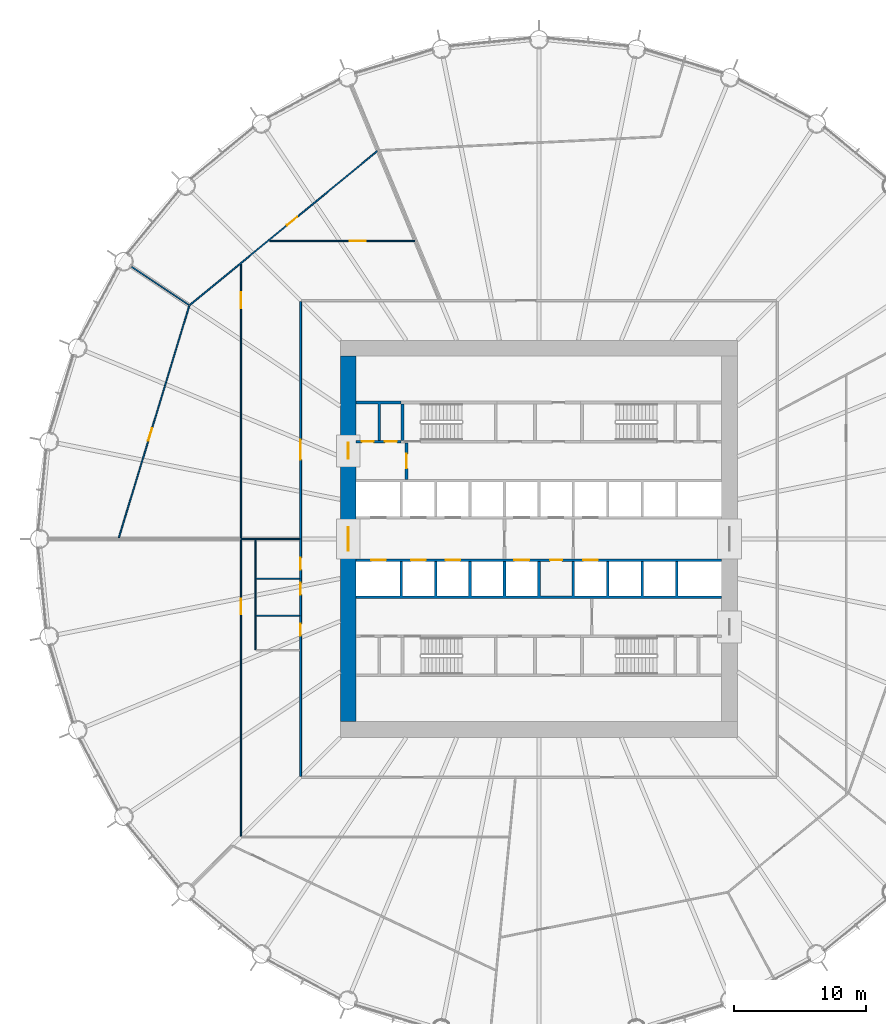
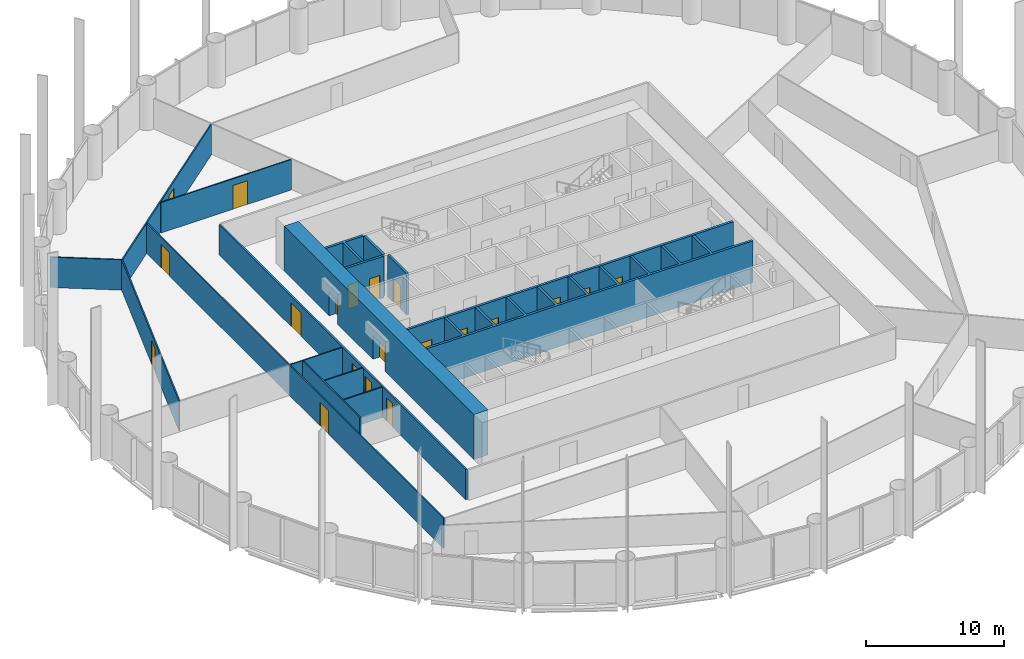
# One storey, part 10 of 14: 20 doors, 17 walls, 20 openings.
"""IFC4 building model written with IfcOpenShell, lengths in metres."""

from ifc_helpers import new_model, si_unit, direction, frame, frame_2d, origin, place, context, subcontext, project, spatial, polyline, rectangle, outline, extrude, material, layer, layer_set, type_object, element, fill, save


model = new_model("IFC4")

# Units and contexts
model_context = context("Model", 3, precision=1e-05, world=origin(), true_north=direction((0.0, 1.0)))
body_context = subcontext(model_context, "Body", "Model", "MODEL_VIEW")
ifc_project = project(units=[si_unit("LENGTHUNIT", "METRE"), si_unit("AREAUNIT", "SQUARE_METRE"), si_unit("VOLUMEUNIT", "CUBIC_METRE"), si_unit("PLANEANGLEUNIT", "RADIAN"), si_unit("MASSUNIT", "GRAM", prefix="KILO")], contexts=[model_context])

# Site, building, storey
site_placement = place(None, origin())
site = spatial("IfcSite", under=ifc_project, at=site_placement, CompositionType="ELEMENT")
building_placement = place(site_placement, origin())
building = spatial("IfcBuilding", under=site, at=building_placement, Name="Corvane Civic Tower", CompositionType="ELEMENT")
storey_placement = place(building_placement, frame((0.0, 0.0, 77.0)))
storey = spatial("IfcBuildingStorey", under=building, at=storey_placement, Name="L17", CompositionType="ELEMENT", Elevation=77.0)

# Wall, openings, doors
ifc_material_1 = material(Name="Concrete C80/95", Category="concrete")
ifc_layer_1 = layer(ifc_material_1, 1.199951171875)
ifc_layer_set_1 = layer_set([ifc_layer_1], Name="Concrete C80/95")
wall_type_1 = type_object("IfcWallType", Name="CORE WALL 1200 C80/95", PredefinedType="SHEAR", material=ifc_layer_set_1)
wall_1_placement = place(storey_placement, frame((-14.39990234375, -13.800048828125, 0.0), z_axis=(0.0, 0.0, 1.0), x_axis=(0.0, 1.0, 0.0)))
wall_1 = element("IfcWall", 1, at=wall_1_placement, inside=storey, type_object=wall_type_1, Name="W-L17-core-W", PredefinedType="SHEAR", context=body_context, shape_type="SweptSolid", body=[
    extrude(rectangle(XDim=27.60009765625, YDim=1.199951171875, at=frame_2d((13.800048828125, 0.0))), origin(), (0.0, 0.0, 1.0), 4.0),
])
opening_1_placement = place(wall_1_placement, frame((12.89990234375, 0.0, 0.0)))
opening_1 = element("IfcOpeningElement", 2, at=opening_1_placement, cuts=wall_1, Name="Opening L17.C24", PredefinedType="OPENING", context=body_context, shape_type="SweptSolid", body=[
    extrude(rectangle(XDim=1.800048828125, YDim=2.10009765625, at=frame_2d((0.89990234375, 1.050048828125))), frame((0.0, 0.60986328125, 0.0), z_axis=(0.0, -1.0, 0.0), x_axis=(1.0, 0.0, 0.0)), (0.0, 0.0, 1.0), 1.219970703125),
])
opening_2_placement = place(wall_1_placement, frame((19.85009765625, 0.0, 0.0)))
opening_2 = element("IfcOpeningElement", 3, at=opening_2_placement, cuts=wall_1, Name="Opening L17.C26", PredefinedType="OPENING", context=body_context, shape_type="SweptSolid", body=[
    extrude(rectangle(XDim=1.199951171875, YDim=2.10009765625, at=frame_2d((0.60009765625, 1.050048828125))), frame((0.0, 0.60986328125, 0.0), z_axis=(0.0, -1.0, 0.0), x_axis=(1.0, 0.0, 0.0)), (0.0, 0.0, 1.0), 1.219970703125),
])
ifc_material_2 = material(Name="Steel fire door leaf", Category="steel")
door_type_1 = type_object("IfcDoorType", Name="CR-DOOR-CORE-1800", OperationType="DOUBLE_DOOR_SINGLE_SWING", PredefinedType="DOOR", material=ifc_material_2)
door_1_placement = place(opening_1_placement, origin())
door_1 = element("IfcDoor", 4, at=door_1_placement, inside=storey, type_object=door_type_1, Name="L17 door", OperationType="DOUBLE_DOOR_SINGLE_SWING", OverallHeight=2.10009765625, OverallWidth=1.800048828125, PredefinedType="DOOR", context=body_context, shape_type="SweptSolid", body=[
    extrude(rectangle(XDim=1.800048828125, YDim=2.10009765625, at=frame_2d((0.89990234375, 1.050048828125))), frame((0.0, 0.02490234375, 0.0), z_axis=(0.0, -1.0, 0.0), x_axis=(1.0, 0.0, 0.0)), (0.0, 0.0, 1.0), 0.050048828125),
])
fill(opening_1, door_1)
door_2_placement = place(opening_2_placement, origin())
door_2 = element("IfcDoor", 5, at=door_2_placement, inside=storey, type_object=door_type_1, Name="L17 door", OperationType="DOUBLE_DOOR_SINGLE_SWING", OverallHeight=2.10009765625, OverallWidth=1.199951171875, PredefinedType="DOOR", context=body_context, shape_type="SweptSolid", body=[
    extrude(rectangle(XDim=1.199951171875, YDim=2.10009765625, at=frame_2d((0.60009765625, 1.050048828125))), frame((0.0, 0.02490234375, 0.0), z_axis=(0.0, -1.0, 0.0), x_axis=(1.0, 0.0, 0.0)), (0.0, 0.0, 1.0), 0.050048828125),
])
fill(opening_2, door_2)

ifc_material_3 = material(Name="Concrete C30/37", Category="concrete")
ifc_layer_2 = layer(ifc_material_3, 0.199951171875)
ifc_layer_set_2 = layer_set([ifc_layer_2], Name="Concrete C30/37")
wall_type_2 = type_object("IfcWallType", Name="CR-WALL-200", PredefinedType="PARTITIONING", material=ifc_layer_set_2)
wall_2_placement = place(storey_placement, frame((-13.800048828125, -1.60009765625, 0.0), z_axis=(0.0, 0.0, 1.0), x_axis=(1.0, 0.0, 0.0)))
wall_2 = element("IfcWall", 6, at=wall_2_placement, inside=storey, type_object=wall_type_2, Name="L17 lift shaft wall", PredefinedType="PARTITIONING", context=body_context, shape_type="SweptSolid", body=[
    extrude(rectangle(XDim=27.60009765625, YDim=0.199951171875, at=frame_2d((13.800048828125, 0.0))), origin(), (0.0, 0.0, 1.0), 3.699951171875),
])
opening_3_placement = place(wall_2_placement, frame((1.14990234375, 0.0, 0.0)))
opening_3 = element("IfcOpeningElement", 7, at=opening_3_placement, cuts=wall_2, Name="Opening LD", PredefinedType="OPENING", context=body_context, shape_type="SweptSolid", body=[
    extrude(rectangle(XDim=1.10009765625, YDim=2.10009765625, at=frame_2d((0.550048828125, 1.050048828125))), frame((0.0, 0.10986328125, 0.0), z_axis=(0.0, -1.0, 0.0), x_axis=(1.0, 0.0, 0.0)), (0.0, 0.0, 1.0), 0.219970703125),
])
opening_4_placement = place(wall_2_placement, frame((4.14990234375, 0.0, 0.0)))
opening_4 = element("IfcOpeningElement", 8, at=opening_4_placement, cuts=wall_2, Name="Opening LD", PredefinedType="OPENING", context=body_context, shape_type="SweptSolid", body=[
    extrude(rectangle(XDim=1.10009765625, YDim=2.10009765625, at=frame_2d((0.550048828125, 1.050048828125))), frame((0.0, 0.10986328125, 0.0), z_axis=(0.0, -1.0, 0.0), x_axis=(1.0, 0.0, 0.0)), (0.0, 0.0, 1.0), 0.219970703125),
])
opening_5_placement = place(wall_2_placement, frame((6.75, 0.0, 0.0)))
opening_5 = element("IfcOpeningElement", 9, at=opening_5_placement, cuts=wall_2, Name="Opening LD", PredefinedType="OPENING", context=body_context, shape_type="SweptSolid", body=[
    extrude(rectangle(XDim=1.10009765625, YDim=2.10009765625, at=frame_2d((0.550048828125, 1.050048828125))), frame((0.0, 0.10986328125, 0.0), z_axis=(0.0, -1.0, 0.0), x_axis=(1.0, 0.0, 0.0)), (0.0, 0.0, 1.0), 0.219970703125),
])
opening_6_placement = place(wall_2_placement, frame((11.949951171875, 0.0, 0.0)))
opening_6 = element("IfcOpeningElement", 10, at=opening_6_placement, cuts=wall_2, Name="Opening LD", PredefinedType="OPENING", context=body_context, shape_type="SweptSolid", body=[
    extrude(rectangle(XDim=1.10009765625, YDim=2.10009765625, at=frame_2d((0.550048828125, 1.050048828125))), frame((0.0, 0.10986328125, 0.0), z_axis=(0.0, -1.0, 0.0), x_axis=(1.0, 0.0, 0.0)), (0.0, 0.0, 1.0), 0.219970703125),
])
opening_7_placement = place(wall_2_placement, frame((14.64990234375, 0.0, 0.0)))
opening_7 = element("IfcOpeningElement", 11, at=opening_7_placement, cuts=wall_2, Name="Opening L17.C01", PredefinedType="OPENING", context=body_context, shape_type="SweptSolid", body=[
    extrude(rectangle(XDim=0.89990234375, YDim=2.10009765625, at=frame_2d((0.449951171875, 1.050048828125))), frame((0.0, 0.10986328125, 0.0), z_axis=(0.0, -1.0, 0.0), x_axis=(1.0, 0.0, 0.0)), (0.0, 0.0, 1.0), 0.219970703125),
])
opening_8_placement = place(wall_2_placement, frame((17.14990234375, 0.0, 0.0)))
opening_8 = element("IfcOpeningElement", 12, at=opening_8_placement, cuts=wall_2, Name="Opening LD", PredefinedType="OPENING", context=body_context, shape_type="SweptSolid", body=[
    extrude(rectangle(XDim=1.10009765625, YDim=2.10009765625, at=frame_2d((0.550048828125, 1.050048828125))), frame((0.0, 0.10986328125, 0.0), z_axis=(0.0, -1.0, 0.0), x_axis=(1.0, 0.0, 0.0)), (0.0, 0.0, 1.0), 0.219970703125),
])
ifc_material_4 = material(Name="Steel fire door leaf", Category="steel")
door_type_2 = type_object("IfcDoorType", Name="CR-DOOR-900", OperationType="SINGLE_SWING_LEFT", PredefinedType="DOOR", material=ifc_material_4)
door_3_placement = place(opening_7_placement, origin())
door_3 = element("IfcDoor", 13, at=door_3_placement, inside=storey, type_object=door_type_2, Name="L17 door", OperationType="SINGLE_SWING_LEFT", OverallHeight=2.10009765625, OverallWidth=0.89990234375, PredefinedType="DOOR", context=body_context, shape_type="SweptSolid", body=[
    extrude(rectangle(XDim=0.89990234375, YDim=2.10009765625, at=frame_2d((0.449951171875, 1.050048828125))), frame((0.0, 0.02490234375, 0.0), z_axis=(0.0, -1.0, 0.0), x_axis=(1.0, 0.0, 0.0)), (0.0, 0.0, 1.0), 0.050048828125),
])
fill(opening_7, door_3)
ifc_material_5 = material(Name="Stainless steel 316 door leaves", Category="steel")
door_type_3 = type_object("IfcDoorType", Name="LD", OperationType="DOUBLE_DOOR_SLIDING", PredefinedType="DOOR", material=ifc_material_5)
door_4_placement = place(opening_3_placement, origin())
door_4 = element("IfcDoor", 14, at=door_4_placement, inside=storey, type_object=door_type_3, Name="L17 landing door", OperationType="DOUBLE_DOOR_SLIDING", OverallHeight=2.10009765625, OverallWidth=1.10009765625, PredefinedType="DOOR", context=body_context, shape_type="SweptSolid", body=[
    extrude(rectangle(XDim=1.10009765625, YDim=2.10009765625, at=frame_2d((0.550048828125, 1.050048828125))), frame((0.0, 0.02490234375, 0.0), z_axis=(0.0, -1.0, 0.0), x_axis=(1.0, 0.0, 0.0)), (0.0, 0.0, 1.0), 0.050048828125),
])
fill(opening_3, door_4)
door_5_placement = place(opening_4_placement, origin())
door_5 = element("IfcDoor", 15, at=door_5_placement, inside=storey, type_object=door_type_3, Name="L17 landing door", OperationType="DOUBLE_DOOR_SLIDING", OverallHeight=2.10009765625, OverallWidth=1.10009765625, PredefinedType="DOOR", context=body_context, shape_type="SweptSolid", body=[
    extrude(rectangle(XDim=1.10009765625, YDim=2.10009765625, at=frame_2d((0.550048828125, 1.050048828125))), frame((0.0, 0.02490234375, 0.0), z_axis=(0.0, -1.0, 0.0), x_axis=(1.0, 0.0, 0.0)), (0.0, 0.0, 1.0), 0.050048828125),
])
fill(opening_4, door_5)
door_6_placement = place(opening_5_placement, origin())
door_6 = element("IfcDoor", 16, at=door_6_placement, inside=storey, type_object=door_type_3, Name="L17 landing door", OperationType="DOUBLE_DOOR_SLIDING", OverallHeight=2.10009765625, OverallWidth=1.10009765625, PredefinedType="DOOR", context=body_context, shape_type="SweptSolid", body=[
    extrude(rectangle(XDim=1.10009765625, YDim=2.10009765625, at=frame_2d((0.550048828125, 1.050048828125))), frame((0.0, 0.02490234375, 0.0), z_axis=(0.0, -1.0, 0.0), x_axis=(1.0, 0.0, 0.0)), (0.0, 0.0, 1.0), 0.050048828125),
])
fill(opening_5, door_6)
door_7_placement = place(opening_6_placement, origin())
door_7 = element("IfcDoor", 17, at=door_7_placement, inside=storey, type_object=door_type_3, Name="L17 landing door", OperationType="DOUBLE_DOOR_SLIDING", OverallHeight=2.10009765625, OverallWidth=1.10009765625, PredefinedType="DOOR", context=body_context, shape_type="SweptSolid", body=[
    extrude(rectangle(XDim=1.10009765625, YDim=2.10009765625, at=frame_2d((0.550048828125, 1.050048828125))), frame((0.0, 0.02490234375, 0.0), z_axis=(0.0, -1.0, 0.0), x_axis=(1.0, 0.0, 0.0)), (0.0, 0.0, 1.0), 0.050048828125),
])
fill(opening_6, door_7)
door_8_placement = place(opening_8_placement, origin())
door_8 = element("IfcDoor", 18, at=door_8_placement, inside=storey, type_object=door_type_3, Name="L17 landing door", OperationType="DOUBLE_DOOR_SLIDING", OverallHeight=2.10009765625, OverallWidth=1.10009765625, PredefinedType="DOOR", context=body_context, shape_type="SweptSolid", body=[
    extrude(rectangle(XDim=1.10009765625, YDim=2.10009765625, at=frame_2d((0.550048828125, 1.050048828125))), frame((0.0, 0.02490234375, 0.0), z_axis=(0.0, -1.0, 0.0), x_axis=(1.0, 0.0, 0.0)), (0.0, 0.0, 1.0), 0.050048828125),
])
fill(opening_8, door_8)

wall_3_placement = place(storey_placement, frame((-13.800048828125, 7.35009765625, 0.0), z_axis=(0.0, 0.0, 1.0), x_axis=(1.0, 0.0, 0.0)))
wall_3 = element("IfcWall", 19, at=wall_3_placement, inside=storey, type_object=wall_type_2, Name="L17 core partition wall", PredefinedType="PARTITIONING", context=body_context, shape_type="SweptSolid", body=[
    extrude(rectangle(XDim=3.400146484375, YDim=0.199951171875, at=frame_2d((1.7001953125, 0.0))), origin(), (0.0, 0.0, 1.0), 3.699951171875),
])
opening_9_placement = place(wall_3_placement, frame((0.425048828125, 0.0, 0.0)))
opening_9 = element("IfcOpeningElement", 20, at=opening_9_placement, cuts=wall_3, Name="Opening L17.C08", PredefinedType="OPENING", context=body_context, shape_type="SweptSolid", body=[
    extrude(rectangle(XDim=0.89990234375, YDim=2.10009765625, at=frame_2d((0.449951171875, 1.050048828125))), frame((0.0, 0.10986328125, 0.0), z_axis=(0.0, -1.0, 0.0), x_axis=(1.0, 0.0, 0.0)), (0.0, 0.0, 1.0), 0.219970703125),
])
opening_10_placement = place(wall_3_placement, frame((2.175048828125, 0.0, 0.0)))
opening_10 = element("IfcOpeningElement", 21, at=opening_10_placement, cuts=wall_3, Name="Opening L17.C09", PredefinedType="OPENING", context=body_context, shape_type="SweptSolid", body=[
    extrude(rectangle(XDim=0.89990234375, YDim=2.10009765625, at=frame_2d((0.449951171875, 1.050048828125))), frame((0.0, 0.10986328125, 0.0), z_axis=(0.0, -1.0, 0.0), x_axis=(1.0, 0.0, 0.0)), (0.0, 0.0, 1.0), 0.219970703125),
])
door_9_placement = place(opening_9_placement, origin())
door_9 = element("IfcDoor", 22, at=door_9_placement, inside=storey, type_object=door_type_2, Name="L17 door", OperationType="SINGLE_SWING_LEFT", OverallHeight=2.10009765625, OverallWidth=0.89990234375, PredefinedType="DOOR", context=body_context, shape_type="SweptSolid", body=[
    extrude(rectangle(XDim=0.89990234375, YDim=2.10009765625, at=frame_2d((0.449951171875, 1.050048828125))), frame((0.0, 0.02490234375, 0.0), z_axis=(0.0, -1.0, 0.0), x_axis=(1.0, 0.0, 0.0)), (0.0, 0.0, 1.0), 0.050048828125),
])
fill(opening_9, door_9)
door_10_placement = place(opening_10_placement, origin())
door_10 = element("IfcDoor", 23, at=door_10_placement, inside=storey, type_object=door_type_2, Name="L17 door", OperationType="SINGLE_SWING_LEFT", OverallHeight=2.10009765625, OverallWidth=0.89990234375, PredefinedType="DOOR", context=body_context, shape_type="SweptSolid", body=[
    extrude(rectangle(XDim=0.89990234375, YDim=2.10009765625, at=frame_2d((0.449951171875, 1.050048828125))), frame((0.0, 0.02490234375, 0.0), z_axis=(0.0, -1.0, 0.0), x_axis=(1.0, 0.0, 0.0)), (0.0, 0.0, 1.0), 0.050048828125),
])
fill(opening_10, door_10)

# Wall, opening, door
wall_4_placement = place(storey_placement, frame((-10.0, 4.5, 0.0), z_axis=(0.0, 0.0, 1.0), x_axis=(0.0, 1.0, 0.0)))
wall_4 = element("IfcWall", 24, at=wall_4_placement, inside=storey, type_object=wall_type_2, Name="L17 core partition wall", PredefinedType="PARTITIONING", context=body_context, shape_type="SweptSolid", body=[
    extrude(rectangle(XDim=2.75, YDim=0.199951171875, at=frame_2d((1.375, 0.0))), origin(), (0.0, 0.0, 1.0), 3.699951171875),
])
opening_11_placement = place(wall_4_placement, frame((0.824951171875, 0.0, 0.0)))
opening_11 = element("IfcOpeningElement", 25, at=opening_11_placement, cuts=wall_4, Name="Opening L17.C22", PredefinedType="OPENING", context=body_context, shape_type="SweptSolid", body=[
    extrude(rectangle(XDim=1.10009765625, YDim=2.10009765625, at=frame_2d((0.550048828125, 1.050048828125))), frame((0.0, 0.10986328125, 0.0), z_axis=(0.0, -1.0, 0.0), x_axis=(1.0, 0.0, 0.0)), (0.0, 0.0, 1.0), 0.219970703125),
])
ifc_material_6 = material(Name="Steel fire door leaf", Category="steel")
door_type_4 = type_object("IfcDoorType", Name="CR-DOOR-FFL-1100", OperationType="SINGLE_SWING_LEFT", PredefinedType="DOOR", material=ifc_material_6)
door_11_placement = place(opening_11_placement, origin())
door_11 = element("IfcDoor", 26, at=door_11_placement, inside=storey, type_object=door_type_4, Name="L17 lobby door", OperationType="SINGLE_SWING_LEFT", OverallHeight=2.10009765625, OverallWidth=1.10009765625, PredefinedType="DOOR", context=body_context, shape_type="SweptSolid", body=[
    extrude(rectangle(XDim=1.10009765625, YDim=2.10009765625, at=frame_2d((0.550048828125, 1.050048828125))), frame((0.0, 0.02490234375, 0.0), z_axis=(0.0, -1.0, 0.0), x_axis=(1.0, 0.0, 0.0)), (0.0, 0.0, 1.0), 0.050048828125),
])
fill(opening_11, door_11)

# Walls
wall_5_placement = place(storey_placement, origin())
element("IfcWall", 27, at=wall_5_placement, inside=storey, type_object=wall_type_2, Name="L17 core partition wall", PredefinedType="PARTITIONING", context=body_context, shape_type="SweptSolid", body=[
    extrude(outline(polyline([(-13.800048828125, 10.39990234375), (-10.39990234375, 10.39990234375), (-10.39990234375, 10.199951171875), (-11.949951171875, 10.199951171875), (-11.949951171875, 7.449951171875), (-12.14990234375, 7.449951171875), (-12.14990234375, 10.199951171875), (-13.800048828125, 10.199951171875), (-13.800048828125, 10.39990234375)])), origin(), (0.0, 0.0, 1.0), 3.699951171875),
])
wall_6_placement = place(storey_placement, origin())
element("IfcWall", 28, at=wall_6_placement, inside=storey, type_object=wall_type_2, Name="L17 core partition wall", PredefinedType="PARTITIONING", context=body_context, shape_type="SweptSolid", body=[
    extrude(outline(polyline([(-10.300048828125, -1.699951171875), (-10.300048828125, -4.300048828125), (-7.89990234375, -4.300048828125), (-7.89990234375, -1.699951171875), (-7.699951171875, -1.699951171875), (-7.699951171875, -4.300048828125), (-5.300048828125, -4.300048828125), (-5.300048828125, -1.699951171875), (-5.10009765625, -1.699951171875), (-5.10009765625, -4.300048828125), (-2.699951171875, -4.300048828125), (-2.699951171875, -1.699951171875), (-2.5, -1.699951171875), (-2.5, -4.300048828125), (-0.10009765625, -4.300048828125), (-0.10009765625, -1.699951171875), (0.10009765625, -1.699951171875), (0.10009765625, -4.300048828125), (2.5, -4.300048828125), (2.5, -1.699951171875), (2.699951171875, -1.699951171875), (2.699951171875, -4.300048828125), (5.10009765625, -4.300048828125), (5.10009765625, -1.699951171875), (5.300048828125, -1.699951171875), (5.300048828125, -4.300048828125), (7.699951171875, -4.300048828125), (7.699951171875, -1.699951171875), (7.89990234375, -1.699951171875), (7.89990234375, -4.300048828125), (10.300048828125, -4.300048828125), (10.300048828125, -1.699951171875), (10.5, -1.699951171875), (10.5, -4.300048828125), (13.800048828125, -4.300048828125), (13.800048828125, -4.5), (-13.800048828125, -4.5), (-13.800048828125, -4.300048828125), (-10.5, -4.300048828125), (-10.5, -1.699951171875), (-10.300048828125, -1.699951171875)])), origin(), (0.0, 0.0, 1.0), 3.699951171875),
])

# Wall, openings, doors
ifc_material_7 = material(Name="Plasterboard")
ifc_layer_3 = layer(ifc_material_7, 0.10009765625)
ifc_layer_set_3 = layer_set([ifc_layer_3], Name="Plasterboard")
wall_type_3 = type_object("IfcWallType", Name="Partition 100 plasterboard on studs", PredefinedType="PARTITIONING", material=ifc_layer_set_3)
wall_7_placement = place(storey_placement, frame((-22.5, -22.449951171875, 0.0), z_axis=(0.0, 0.0, 1.0), x_axis=(0.0, 1.0, 0.0)))
wall_7 = element("IfcWall", 29, at=wall_7_placement, inside=storey, type_object=wall_type_3, Name="Partition L17.009", PredefinedType="PARTITIONING", context=body_context, shape_type="SweptSolid", body=[
    extrude(rectangle(XDim=43.174560546875, YDim=0.10009765625, at=frame_2d((21.58740234375, 0.0))), origin(), (0.0, 0.0, 1.0), 2.699951171875),
])
opening_12_placement = place(wall_7_placement, frame((16.747802734375, 0.0, 0.0)))
opening_12 = element("IfcOpeningElement", 30, at=opening_12_placement, cuts=wall_7, Name="Opening L17.011", PredefinedType="OPENING", context=body_context, shape_type="SweptSolid", body=[
    extrude(rectangle(XDim=1.199951171875, YDim=2.10009765625, at=frame_2d((0.60009765625, 1.050048828125))), frame((0.0, 0.06005859375, 0.0), z_axis=(0.0, -1.0, 0.0), x_axis=(1.0, 0.0, 0.0)), (0.0, 0.0, 1.0), 0.1201171875),
])
opening_13_placement = place(wall_7_placement, frame((39.877197265625, 0.0, 0.0)))
opening_13 = element("IfcOpeningElement", 31, at=opening_13_placement, cuts=wall_7, Name="Opening L17.018", PredefinedType="OPENING", context=body_context, shape_type="SweptSolid", body=[
    extrude(rectangle(XDim=1.199951171875, YDim=2.10009765625, at=frame_2d((0.60009765625, 1.050048828125))), frame((0.0, 0.06005859375, 0.0), z_axis=(0.0, -1.0, 0.0), x_axis=(1.0, 0.0, 0.0)), (0.0, 0.0, 1.0), 0.1201171875),
])
ifc_material_8 = material(Name="Timber", Category="wood")
door_type_5 = type_object("IfcDoorType", Name="Double door 1200", OperationType="NOTDEFINED", PredefinedType="DOOR", material=ifc_material_8)
door_12_placement = place(opening_12_placement, origin())
door_12 = element("IfcDoor", 32, at=door_12_placement, inside=storey, type_object=door_type_5, Name="Door L17.011", OperationType="DOUBLE_DOOR_SINGLE_SWING", OverallHeight=2.10009765625, OverallWidth=1.199951171875, PredefinedType="DOOR", context=body_context, shape_type="SweptSolid", body=[
    extrude(rectangle(XDim=1.199951171875, YDim=2.10009765625, at=frame_2d((0.60009765625, 1.050048828125))), frame((0.0, 0.02490234375, 0.0), z_axis=(0.0, -1.0, 0.0), x_axis=(1.0, 0.0, 0.0)), (0.0, 0.0, 1.0), 0.050048828125),
])
fill(opening_12, door_12)
door_13_placement = place(opening_13_placement, origin())
door_13 = element("IfcDoor", 33, at=door_13_placement, inside=storey, type_object=door_type_5, Name="Door L17.018", OperationType="DOUBLE_DOOR_SINGLE_SWING", OverallHeight=2.10009765625, OverallWidth=1.199951171875, PredefinedType="DOOR", context=body_context, shape_type="SweptSolid", body=[
    extrude(rectangle(XDim=1.199951171875, YDim=2.10009765625, at=frame_2d((0.60009765625, 1.050048828125))), frame((0.0, 0.02490234375, 0.0), z_axis=(0.0, -1.0, 0.0), x_axis=(1.0, 0.0, 0.0)), (0.0, 0.0, 1.0), 0.050048828125),
])
fill(opening_13, door_13)

# Walls
wall_8_placement = place(storey_placement, frame((-21.39990234375, -8.35009765625, 0.0), z_axis=(0.0, 0.0, 1.0), x_axis=(0.0, 1.0, 0.0)))
element("IfcWall", 34, at=wall_8_placement, inside=storey, type_object=wall_type_3, Name="Partition L17.017", PredefinedType="PARTITIONING", context=body_context, shape_type="SweptSolid", body=[
    extrude(rectangle(XDim=8.300048828125, YDim=0.10009765625, at=frame_2d((4.14990234375, 0.0))), origin(), (0.0, 0.0, 1.0), 2.699951171875),
])
for number, where, z_axis, x_axis, name in (
    (35, (-21.35009765625, -5.800048828125, 0.0), (0.0, 0.0, 1.0), (1.0, 0.0, 0.0), "Partition L17.018"),
    (36, (-21.35009765625, -3.0, 0.0), (0.0, 0.0, 1.0), (1.0, 0.0, 0.0), "Partition L17.019"),
):
    element("IfcWall", number, at=place(storey_placement, frame(where, z_axis=z_axis, x_axis=x_axis)), inside=storey, type_object=wall_type_3, Name=name, PredefinedType="PARTITIONING", context=body_context, shape_type="SweptSolid", body=[
        extrude(rectangle(XDim=3.275146484375, YDim=0.10009765625, at=frame_2d((1.6376953125, 0.0))), origin(), (0.0, 0.0, 1.0), 2.699951171875),
    ])
wall_9_placement = place(storey_placement, frame((-22.449951171875, 0.0, 0.0), z_axis=(0.0, 0.0, 1.0), x_axis=(1.0, 0.0, 0.0)))
element("IfcWall", 37, at=wall_9_placement, inside=storey, type_object=wall_type_3, Name="Partition L17.021", PredefinedType="PARTITIONING", context=body_context, shape_type="SweptSolid", body=[
    extrude(rectangle(XDim=4.375, YDim=0.10009765625, at=frame_2d((2.1875, 0.0))), origin(), (0.0, 0.0, 1.0), 2.699951171875),
])

# Wall, opening, door
wall_10_placement = place(storey_placement, frame((-31.72314453125, 0.064453125, 0.0), z_axis=(0.0, 0.0, 1.0), x_axis=(0.290286195609, 0.956939875143, 0.0)))
wall_10 = element("IfcWall", 38, at=wall_10_placement, inside=storey, type_object=wall_type_3, Name="Partition L17.024", PredefinedType="PARTITIONING", context=body_context, shape_type="SweptSolid", body=[
    extrude(rectangle(XDim=18.324462890625, YDim=0.10009765625, at=frame_2d((9.162109375, 0.0))), origin(), (0.0, 0.0, 1.0), 2.699951171875),
])
opening_14_placement = place(wall_10_placement, frame((7.6708984375, 0.0, 0.0)))
opening_14 = element("IfcOpeningElement", 39, at=opening_14_placement, cuts=wall_10, Name="Opening L17.016", PredefinedType="OPENING", context=body_context, shape_type="SweptSolid", body=[
    extrude(rectangle(XDim=1.0, YDim=2.10009765625, at=frame_2d((0.5, 1.050048828125))), frame((0.0, 0.06005859375, 0.0), z_axis=(0.0, -1.0, 0.0), x_axis=(1.0, 0.0, 0.0)), (0.0, 0.0, 1.0), 0.1201171875),
])
ifc_material_9 = material(Name="Timber", Category="wood")
door_type_6 = type_object("IfcDoorType", Name="Single door 1000", OperationType="NOTDEFINED", PredefinedType="DOOR", material=ifc_material_9)
door_14_placement = place(opening_14_placement, origin())
door_14 = element("IfcDoor", 40, at=door_14_placement, inside=storey, type_object=door_type_6, Name="Door L17.016", OperationType="SINGLE_SWING_LEFT", OverallHeight=2.10009765625, OverallWidth=1.0, PredefinedType="DOOR", context=body_context, shape_type="SweptSolid", body=[
    extrude(rectangle(XDim=1.0, YDim=2.10009765625, at=frame_2d((0.5, 1.050048828125))), frame((0.0, 0.02490234375, 0.0), z_axis=(0.0, -1.0, 0.0), x_axis=(1.0, 0.0, 0.0)), (0.0, 0.0, 1.0), 0.050048828125),
])
fill(opening_14, door_14)

# Wall
wall_11_placement = place(storey_placement, frame((-30.756103515625, 20.550537109375, 0.0), z_axis=(0.0, 0.0, 1.0), x_axis=(0.831487576011, -0.555543347489, 0.0)))
element("IfcWall", 41, at=wall_11_placement, inside=storey, type_object=wall_type_3, Name="Partition L17.026", PredefinedType="PARTITIONING", context=body_context, shape_type="SweptSolid", body=[
    extrude(rectangle(XDim=5.210205078125, YDim=0.10009765625, at=frame_2d((2.60498046875, 0.0))), origin(), (0.0, 0.0, 1.0), 2.699951171875),
])

# Wall, opening, door
wall_12_placement = place(storey_placement, frame((-26.364501953125, 17.65869140625, 0.0), z_axis=(0.0, 0.0, 1.0), x_axis=(0.773009038475, 0.634395008205, 0.0)))
wall_12 = element("IfcWall", 42, at=wall_12_placement, inside=storey, type_object=wall_type_3, Name="Partition L17.027", PredefinedType="PARTITIONING", context=body_context, shape_type="SweptSolid", body=[
    extrude(rectangle(XDim=18.324462890625, YDim=0.10009765625, at=frame_2d((9.162109375, 0.0))), origin(), (0.0, 0.0, 1.0), 2.699951171875),
])
opening_15_placement = place(wall_12_placement, frame((9.49755859375, 0.0, 0.0)))
opening_15 = element("IfcOpeningElement", 43, at=opening_15_placement, cuts=wall_12, Name="Opening L17.017", PredefinedType="OPENING", context=body_context, shape_type="SweptSolid", body=[
    extrude(rectangle(XDim=1.0, YDim=2.10009765625, at=frame_2d((0.5, 1.050048828125))), frame((0.0, 0.06005859375, 0.0), z_axis=(0.0, -1.0, 0.0), x_axis=(1.0, 0.0, 0.0)), (0.0, 0.0, 1.0), 0.1201171875),
])
door_15_placement = place(opening_15_placement, origin())
door_15 = element("IfcDoor", 44, at=door_15_placement, inside=storey, type_object=door_type_6, Name="Door L17.017", OperationType="SINGLE_SWING_LEFT", OverallHeight=2.10009765625, OverallWidth=1.0, PredefinedType="DOOR", context=body_context, shape_type="SweptSolid", body=[
    extrude(rectangle(XDim=1.0, YDim=2.10009765625, at=frame_2d((0.5, 1.050048828125))), frame((0.0, 0.02490234375, 0.0), z_axis=(0.0, -1.0, 0.0), x_axis=(1.0, 0.0, 0.0)), (0.0, 0.0, 1.0), 0.050048828125),
])
fill(opening_15, door_15)

wall_13_placement = place(storey_placement, frame((-20.32568359375, 22.5, 0.0), z_axis=(0.0, 0.0, 1.0), x_axis=(1.0, 0.0, 0.0)))
wall_13 = element("IfcWall", 45, at=wall_13_placement, inside=storey, type_object=wall_type_3, Name="Partition L17.030", PredefinedType="PARTITIONING", context=body_context, shape_type="SweptSolid", body=[
    extrude(rectangle(XDim=10.93115234375, YDim=0.10009765625, at=frame_2d((5.465576171875, 0.0))), origin(), (0.0, 0.0, 1.0), 2.699951171875),
])
opening_16_placement = place(wall_13_placement, frame((6.038818359375, 0.0, 0.0)))
opening_16 = element("IfcOpeningElement", 46, at=opening_16_placement, cuts=wall_13, Name="Opening L17.019", PredefinedType="OPENING", context=body_context, shape_type="SweptSolid", body=[
    extrude(rectangle(XDim=1.199951171875, YDim=2.10009765625, at=frame_2d((0.60009765625, 1.050048828125))), frame((0.0, 0.06005859375, 0.0), z_axis=(0.0, -1.0, 0.0), x_axis=(1.0, 0.0, 0.0)), (0.0, 0.0, 1.0), 0.1201171875),
])
door_16_placement = place(opening_16_placement, origin())
door_16 = element("IfcDoor", 47, at=door_16_placement, inside=storey, type_object=door_type_5, Name="Door L17.019", OperationType="DOUBLE_DOOR_SINGLE_SWING", OverallHeight=2.10009765625, OverallWidth=1.199951171875, PredefinedType="DOOR", context=body_context, shape_type="SweptSolid", body=[
    extrude(rectangle(XDim=1.199951171875, YDim=2.10009765625, at=frame_2d((0.60009765625, 1.050048828125))), frame((0.0, 0.02490234375, 0.0), z_axis=(0.0, -1.0, 0.0), x_axis=(1.0, 0.0, 0.0)), (0.0, 0.0, 1.0), 0.050048828125),
])
fill(opening_16, door_16)

# Wall
ifc_material_10 = material(Name="Concrete C50/60", Category="concrete")
ifc_layer_4 = layer(ifc_material_10, 0.199951171875)
ifc_layer_set_4 = layer_set([ifc_layer_4], Name="Concrete C50/60")
wall_type_4 = type_object("IfcWallType", Name="ST-WALL-200", PredefinedType="SHEAR", material=ifc_layer_set_4)
wall_14_placement = place(storey_placement, origin())
element("IfcWall", 48, at=wall_14_placement, inside=storey, type_object=wall_type_4, Name="L17 stair enclosure wall", PredefinedType="SHEAR", context=body_context, shape_type="SweptSolid", body=[
    extrude(outline(polyline([(-10.199951171875, 7.449951171875), (-10.39990234375, 7.449951171875), (-10.39990234375, 10.199951171875), (-10.199951171875, 10.199951171875), (-10.199951171875, 7.449951171875)])), origin(), (0.0, 0.0, 1.0), 3.699951171875),
])

# Wall, openings, doors
ifc_material_11 = material(Name="Plasterboard")
ifc_layer_5 = layer(ifc_material_11, 0.14990234375)
ifc_layer_set_5 = layer_set([ifc_layer_5], Name="Plasterboard")
wall_type_5 = type_object("IfcWallType", Name="Tenancy wall 150 EI 60", PredefinedType="PARTITIONING", material=ifc_layer_set_5)
wall_15_placement = place(storey_placement, frame((-18.0, -17.925048828125, 0.0), z_axis=(0.0, 0.0, 1.0), x_axis=(0.0, 1.0, 0.0)))
wall_15 = element("IfcWall", 49, at=wall_15_placement, inside=storey, type_object=wall_type_5, Name="Partition L17.014", PredefinedType="PARTITIONING", context=body_context, shape_type="SweptSolid", body=[
    extrude(rectangle(XDim=35.85009765625, YDim=0.14990234375, at=frame_2d((17.925048828125, 0.0))), origin(), (0.0, 0.0, 1.0), 2.699951171875),
])
opening_17_placement = place(wall_15_placement, frame((15.6025390625, 0.0, 0.0)))
opening_17 = element("IfcOpeningElement", 50, at=opening_17_placement, cuts=wall_15, Name="Opening L17.013", PredefinedType="OPENING", context=body_context, shape_type="SweptSolid", body=[
    extrude(rectangle(XDim=0.89990234375, YDim=2.10009765625, at=frame_2d((0.449951171875, 1.050048828125))), frame((0.0, 0.0849609375, 0.0), z_axis=(0.0, -1.0, 0.0), x_axis=(1.0, 0.0, 0.0)), (0.0, 0.0, 1.0), 0.169921875),
])
opening_18_placement = place(wall_15_placement, frame((13.7138671875, 0.0, 0.0)))
opening_18 = element("IfcOpeningElement", 51, at=opening_18_placement, cuts=wall_15, Name="Opening L17.014", PredefinedType="OPENING", context=body_context, shape_type="SweptSolid", body=[
    extrude(rectangle(XDim=0.89990234375, YDim=2.10009765625, at=frame_2d((0.449951171875, 1.050048828125))), frame((0.0, 0.0849609375, 0.0), z_axis=(0.0, -1.0, 0.0), x_axis=(1.0, 0.0, 0.0)), (0.0, 0.0, 1.0), 0.169921875),
])
opening_19_placement = place(wall_15_placement, frame((10.613525390625, 0.0, 0.0)))
opening_19 = element("IfcOpeningElement", 52, at=opening_19_placement, cuts=wall_15, Name="Opening L17.015", PredefinedType="OPENING", context=body_context, shape_type="SweptSolid", body=[
    extrude(rectangle(XDim=0.89990234375, YDim=2.10009765625, at=frame_2d((0.449951171875, 1.050048828125))), frame((0.0, 0.0849609375, 0.0), z_axis=(0.0, -1.0, 0.0), x_axis=(1.0, 0.0, 0.0)), (0.0, 0.0, 1.0), 0.169921875),
])
opening_20_placement = place(wall_15_placement, frame((23.910888671875, 0.0, 0.0)))
opening_20 = element("IfcOpeningElement", 53, at=opening_20_placement, cuts=wall_15, Name="Opening L17.020", PredefinedType="OPENING", context=body_context, shape_type="SweptSolid", body=[
    extrude(rectangle(XDim=1.5, YDim=2.10009765625, at=frame_2d((0.75, 1.050048828125))), frame((0.0, 0.0849609375, 0.0), z_axis=(0.0, -1.0, 0.0), x_axis=(1.0, 0.0, 0.0)), (0.0, 0.0, 1.0), 0.169921875),
])
ifc_material_12 = material(Name="Steel and timber", Category="steel")
door_type_7 = type_object("IfcDoorType", Name="Fire door FD30S 900", OperationType="NOTDEFINED", PredefinedType="DOOR", material=ifc_material_12)
door_17_placement = place(opening_17_placement, origin())
door_17 = element("IfcDoor", 54, at=door_17_placement, inside=storey, type_object=door_type_7, Name="Door L17.013", OperationType="SINGLE_SWING_LEFT", OverallHeight=2.10009765625, OverallWidth=0.89990234375, PredefinedType="DOOR", context=body_context, shape_type="SweptSolid", body=[
    extrude(rectangle(XDim=0.89990234375, YDim=2.10009765625, at=frame_2d((0.449951171875, 1.050048828125))), frame((0.0, 0.02490234375, 0.0), z_axis=(0.0, -1.0, 0.0), x_axis=(1.0, 0.0, 0.0)), (0.0, 0.0, 1.0), 0.050048828125),
])
fill(opening_17, door_17)
door_18_placement = place(opening_18_placement, origin())
door_18 = element("IfcDoor", 55, at=door_18_placement, inside=storey, type_object=door_type_7, Name="Door L17.014", OperationType="SINGLE_SWING_LEFT", OverallHeight=2.10009765625, OverallWidth=0.89990234375, PredefinedType="DOOR", context=body_context, shape_type="SweptSolid", body=[
    extrude(rectangle(XDim=0.89990234375, YDim=2.10009765625, at=frame_2d((0.449951171875, 1.050048828125))), frame((0.0, 0.02490234375, 0.0), z_axis=(0.0, -1.0, 0.0), x_axis=(1.0, 0.0, 0.0)), (0.0, 0.0, 1.0), 0.050048828125),
])
fill(opening_18, door_18)
door_19_placement = place(opening_19_placement, origin())
door_19 = element("IfcDoor", 56, at=door_19_placement, inside=storey, type_object=door_type_7, Name="Door L17.015", OperationType="SINGLE_SWING_RIGHT", OverallHeight=2.10009765625, OverallWidth=0.89990234375, PredefinedType="DOOR", context=body_context, shape_type="SweptSolid", body=[
    extrude(rectangle(XDim=0.89990234375, YDim=2.10009765625, at=frame_2d((0.449951171875, 1.050048828125))), frame((0.0, 0.02490234375, 0.0), z_axis=(0.0, -1.0, 0.0), x_axis=(1.0, 0.0, 0.0)), (0.0, 0.0, 1.0), 0.050048828125),
])
fill(opening_19, door_19)
ifc_material_13 = material(Name="Steel and timber", Category="steel")
door_type_8 = type_object("IfcDoorType", Name="Fire door FD60 double 1500", OperationType="NOTDEFINED", PredefinedType="DOOR", material=ifc_material_13)
door_20_placement = place(opening_20_placement, origin())
door_20 = element("IfcDoor", 57, at=door_20_placement, inside=storey, type_object=door_type_8, Name="Door L17.020", OperationType="DOUBLE_DOOR_SINGLE_SWING", OverallHeight=2.10009765625, OverallWidth=1.5, PredefinedType="DOOR", context=body_context, shape_type="SweptSolid", body=[
    extrude(rectangle(XDim=1.5, YDim=2.10009765625, at=frame_2d((0.75, 1.050048828125))), frame((0.0, 0.02490234375, 0.0), z_axis=(0.0, -1.0, 0.0), x_axis=(1.0, 0.0, 0.0)), (0.0, 0.0, 1.0), 0.050048828125),
])
fill(opening_20, door_20)

save(model, "model.ifc")
